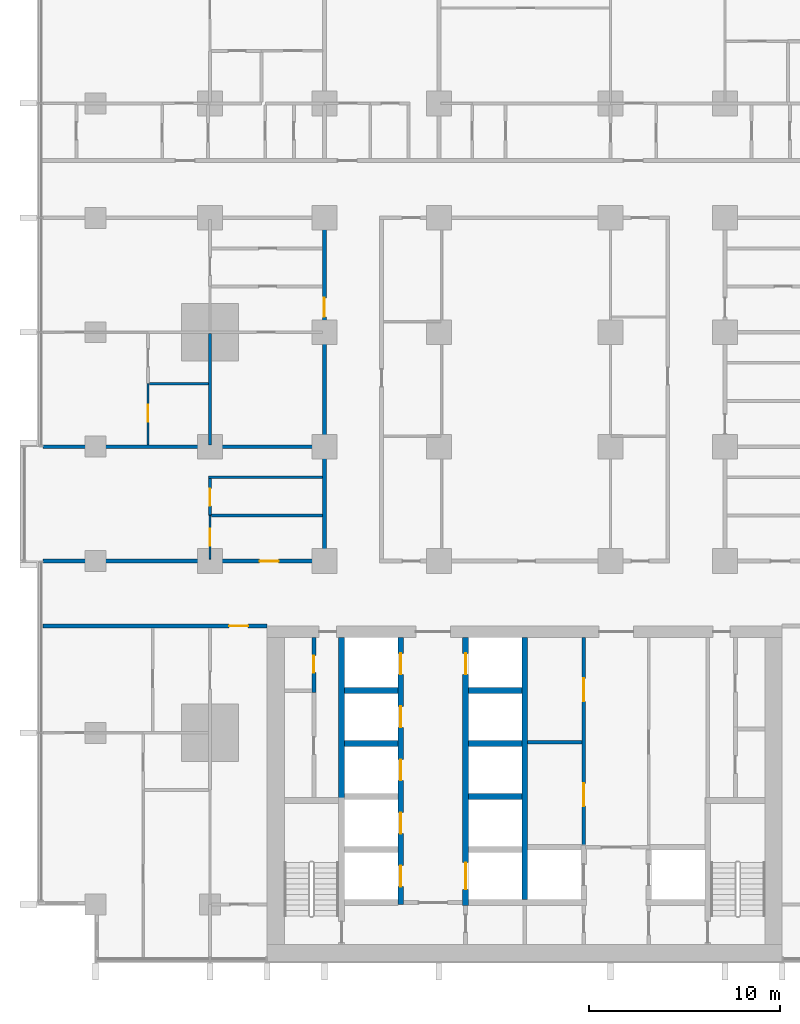
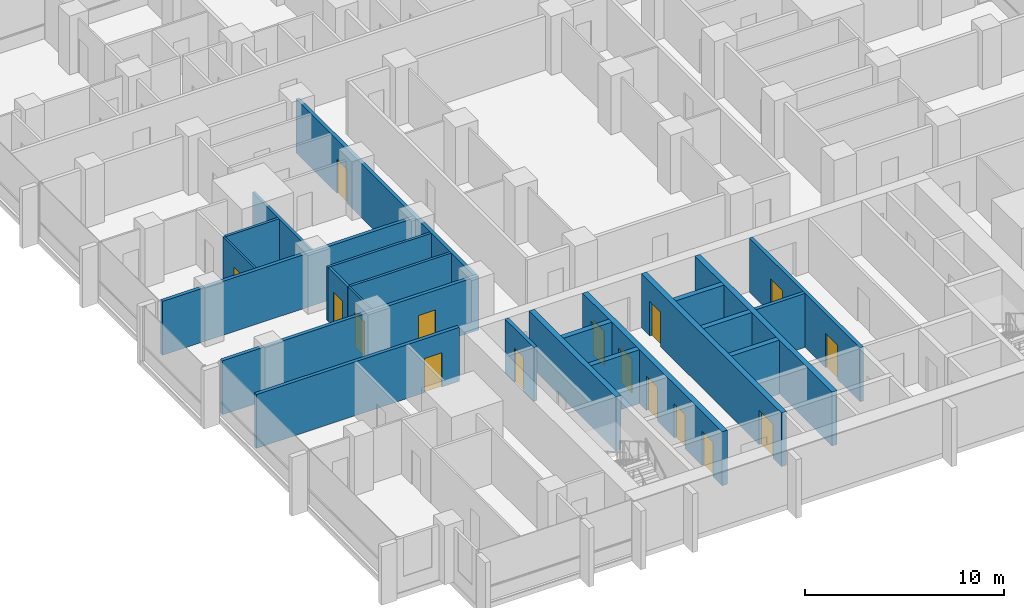
# One storey, part 8 of 18: 23 walls, 16 doors, 16 openings.
"""IFC4 building model written with IfcOpenShell, lengths in metres."""

from ifc_helpers import new_model, si_unit, direction, frame, frame_2d, origin, place, context, subcontext, project, spatial, rectangle, extrude, material, layer, layer_set, type_object, element, fill, save


model = new_model("IFC4")

# Units and contexts
model_context = context("Model", 3, precision=1e-05, world=origin(), true_north=direction((0.0, 1.0)))
body_context = subcontext(model_context, "Body", "Model", "MODEL_VIEW")
ifc_project = project(units=[si_unit("LENGTHUNIT", "METRE"), si_unit("AREAUNIT", "SQUARE_METRE"), si_unit("VOLUMEUNIT", "CUBIC_METRE"), si_unit("PLANEANGLEUNIT", "RADIAN"), si_unit("MASSUNIT", "GRAM", prefix="KILO")], contexts=[model_context])

# Site, building, storey
site_placement = place(None, origin())
site = spatial("IfcSite", under=ifc_project, at=site_placement, CompositionType="ELEMENT")
building_placement = place(site_placement, origin())
building = spatial("IfcBuilding", under=site, at=building_placement, Name="Finial Court Residences", CompositionType="ELEMENT")
storey_placement = place(building_placement, frame((0.0, 0.0, 50.5)))
storey = spatial("IfcBuildingStorey", under=building, at=storey_placement, Name="L11", CompositionType="ELEMENT", Elevation=50.5)

# Wall
ifc_material_1 = material(Name="Gypsum board")
ifc_layer_1 = layer(ifc_material_1, 0.02490234375)
ifc_material_2 = material(Name="Acoustic mineral wool in double frame")
ifc_layer_2 = layer(ifc_material_2, 0.14990234375)
ifc_layer_3 = layer(ifc_material_1, 0.02490234375)
ifc_layer_set_1 = layer_set([ifc_layer_1, ifc_layer_2, ifc_layer_3], Name="Acoustic party wall 200, 1 hour")
wall_type_1 = type_object("IfcWallType", Name="Acoustic party wall 200, 1 hour", PredefinedType="PARTITIONING", material=ifc_layer_set_1)
wall_1_placement = place(storey_placement, frame((-25.25, 1.5, 0.0), z_axis=(0.0, 0.0, 1.0), x_axis=(1.0, 0.0, 0.0)))
element("IfcWall", 1, at=wall_1_placement, inside=storey, type_object=wall_type_1, Name="Partition L11-016", PredefinedType="PARTITIONING", context=body_context, shape_type="SweptSolid", body=[
    extrude(rectangle(XDim=14.64990234375, YDim=0.199951171875, at=frame_2d((7.324951171875, 0.0))), origin(), (0.0, 0.0, 1.0), 3.300048828125),
])

# Wall, opening, door
ifc_layer_4 = layer(ifc_material_1, 0.02490234375)
ifc_layer_5 = layer(ifc_material_2, 0.14990234375)
ifc_layer_6 = layer(ifc_material_1, 0.02490234375)
ifc_layer_set_2 = layer_set([ifc_layer_4, ifc_layer_5, ifc_layer_6], Name="Corridor wall 200, 1 hour")
wall_type_2 = type_object("IfcWallType", Name="Corridor wall 200, 1 hour", PredefinedType="PARTITIONING", material=ifc_layer_set_2)
wall_2_placement = place(storey_placement, frame((-25.25, -7.89990234375, 0.0), z_axis=(0.0, 0.0, 1.0), x_axis=(1.0, 0.0, 0.0)))
wall_2 = element("IfcWall", 2, at=wall_2_placement, inside=storey, type_object=wall_type_2, Name="Partition L11-007", PredefinedType="PARTITIONING", context=body_context, shape_type="SweptSolid", body=[
    extrude(rectangle(XDim=11.75, YDim=0.199951171875, at=frame_2d((5.875, 0.0))), origin(), (0.0, 0.0, 1.0), 3.300048828125),
])
opening_1_placement = place(wall_2_placement, frame((9.75, 0.0, 0.0)))
opening_1 = element("IfcOpeningElement", 3, at=opening_1_placement, cuts=wall_2, Name="Opening L11-D005", PredefinedType="OPENING", context=body_context, shape_type="SweptSolid", body=[
    extrude(rectangle(XDim=1.0, YDim=2.10009765625, at=frame_2d((0.5, 1.050048828125))), frame((0.0, 0.10986328125, 0.0), z_axis=(0.0, -1.0, 0.0), x_axis=(1.0, 0.0, 0.0)), (0.0, 0.0, 1.0), 0.219970703125),
])
ifc_material_3 = material(Name="Timber door leaf in hollow metal frame", Category="wood")
door_type_1 = type_object("IfcDoorType", Name="Fire door set 1000 x 2100, 30 minutes", OperationType="SINGLE_SWING_LEFT", PredefinedType="DOOR", material=ifc_material_3)
door_1_placement = place(opening_1_placement, origin())
door_1 = element("IfcDoor", 4, at=door_1_placement, inside=storey, type_object=door_type_1, Name="Door L11-D005", OperationType="SINGLE_SWING_RIGHT", OverallHeight=2.10009765625, OverallWidth=1.0, PredefinedType="DOOR", context=body_context, shape_type="SweptSolid", body=[
    extrude(rectangle(XDim=1.0, YDim=2.10009765625, at=frame_2d((0.5, 1.050048828125))), frame((0.0, 0.02490234375, 0.0), z_axis=(0.0, -1.0, 0.0), x_axis=(1.0, 0.0, 0.0)), (0.0, 0.0, 1.0), 0.050048828125),
])
fill(opening_1, door_1)

wall_3_placement = place(storey_placement, frame((-25.25, -4.5, 0.0), z_axis=(0.0, 0.0, 1.0), x_axis=(1.0, 0.0, 0.0)))
wall_3 = element("IfcWall", 5, at=wall_3_placement, inside=storey, type_object=wall_type_2, Name="Partition L11-009", PredefinedType="PARTITIONING", context=body_context, shape_type="SweptSolid", body=[
    extrude(rectangle(XDim=14.85009765625, YDim=0.199951171875, at=frame_2d((7.425048828125, 0.0))), origin(), (0.0, 0.0, 1.0), 3.300048828125),
])
opening_2_placement = place(wall_3_placement, frame((11.35009765625, 0.0, 0.0)))
opening_2 = element("IfcOpeningElement", 6, at=opening_2_placement, cuts=wall_3, Name="Opening L11-D007", PredefinedType="OPENING", context=body_context, shape_type="SweptSolid", body=[
    extrude(rectangle(XDim=1.0, YDim=2.10009765625, at=frame_2d((0.5, 1.050048828125))), frame((0.0, 0.10986328125, 0.0), z_axis=(0.0, -1.0, 0.0), x_axis=(1.0, 0.0, 0.0)), (0.0, 0.0, 1.0), 0.219970703125),
])
door_2_placement = place(opening_2_placement, origin())
door_2 = element("IfcDoor", 7, at=door_2_placement, inside=storey, type_object=door_type_1, Name="Door L11-D007", OperationType="SINGLE_SWING_LEFT", OverallHeight=2.10009765625, OverallWidth=1.0, PredefinedType="DOOR", context=body_context, shape_type="SweptSolid", body=[
    extrude(rectangle(XDim=1.0, YDim=2.10009765625, at=frame_2d((0.5, 1.050048828125))), frame((0.0, 0.02490234375, 0.0), z_axis=(0.0, -1.0, 0.0), x_axis=(1.0, 0.0, 0.0)), (0.0, 0.0, 1.0), 0.050048828125),
])
fill(opening_2, door_2)

wall_4_placement = place(storey_placement, frame((-10.5, -4.39990234375, 0.0), z_axis=(0.0, 0.0, 1.0), x_axis=(0.0, 1.0, 0.0)))
wall_4 = element("IfcWall", 8, at=wall_4_placement, inside=storey, type_object=wall_type_2, Name="Partition L11-076", PredefinedType="PARTITIONING", context=body_context, shape_type="SweptSolid", body=[
    extrude(rectangle(XDim=17.7998046875, YDim=0.199951171875, at=frame_2d((8.89990234375, 0.0))), origin(), (0.0, 0.0, 1.0), 3.300048828125),
])
opening_3_placement = place(wall_4_placement, frame((12.699951171875, 0.0, 0.0)))
opening_3 = element("IfcOpeningElement", 9, at=opening_3_placement, cuts=wall_4, Name="Opening L11-D049", PredefinedType="OPENING", context=body_context, shape_type="SweptSolid", body=[
    extrude(rectangle(XDim=1.0, YDim=2.10009765625, at=frame_2d((0.5, 1.050048828125))), frame((0.0, 0.10986328125, 0.0), z_axis=(0.0, -1.0, 0.0), x_axis=(1.0, 0.0, 0.0)), (0.0, 0.0, 1.0), 0.219970703125),
])
door_3_placement = place(opening_3_placement, origin())
door_3 = element("IfcDoor", 10, at=door_3_placement, inside=storey, type_object=door_type_1, Name="Door L11-D049", OperationType="SINGLE_SWING_LEFT", OverallHeight=2.10009765625, OverallWidth=1.0, PredefinedType="DOOR", context=body_context, shape_type="SweptSolid", body=[
    extrude(rectangle(XDim=1.0, YDim=2.10009765625, at=frame_2d((0.5, 1.050048828125))), frame((0.0, 0.02490234375, 0.0), z_axis=(0.0, -1.0, 0.0), x_axis=(1.0, 0.0, 0.0)), (0.0, 0.0, 1.0), 0.050048828125),
])
fill(opening_3, door_3)

ifc_layer_7 = layer(ifc_material_1, 0.012451171875)
ifc_material_4 = material(Name="Mineral wool in light-gauge frame")
ifc_layer_8 = layer(ifc_material_4, 0.074951171875)
ifc_layer_9 = layer(ifc_material_1, 0.012451171875)
ifc_layer_set_3 = layer_set([ifc_layer_7, ifc_layer_8, ifc_layer_9], Name="Gypsum board partition 100")
wall_type_3 = type_object("IfcWallType", Name="Gypsum board partition 100", PredefinedType="PARTITIONING", material=ifc_layer_set_3)
wall_5_placement = place(storey_placement, frame((-19.75, 1.60009765625, 0.0), z_axis=(0.0, 0.0, 1.0), x_axis=(0.0, 1.0, 0.0)))
wall_5 = element("IfcWall", 11, at=wall_5_placement, inside=storey, type_object=wall_type_3, Name="Partition L11-058", PredefinedType="PARTITIONING", context=body_context, shape_type="SweptSolid", body=[
    extrude(rectangle(XDim=3.199951171875, YDim=0.10009765625, at=frame_2d((1.60009765625, 0.0))), origin(), (0.0, 0.0, 1.0), 3.300048828125),
])
opening_4_placement = place(wall_5_placement, frame((1.199951171875, 0.0, 0.0)))
opening_4 = element("IfcOpeningElement", 12, at=opening_4_placement, cuts=wall_5, Name="Opening L11-D037", PredefinedType="OPENING", context=body_context, shape_type="SweptSolid", body=[
    extrude(rectangle(XDim=0.89990234375, YDim=2.10009765625, at=frame_2d((0.449951171875, 1.050048828125))), frame((0.0, 0.06005859375, 0.0), z_axis=(0.0, -1.0, 0.0), x_axis=(1.0, 0.0, 0.0)), (0.0, 0.0, 1.0), 0.1201171875),
])
ifc_material_5 = material(Name="Timber door leaf in timber frame", Category="wood")
door_type_2 = type_object("IfcDoorType", Name="Door set 900 x 2100", OperationType="SINGLE_SWING_LEFT", PredefinedType="DOOR", material=ifc_material_5)
door_4_placement = place(opening_4_placement, origin())
door_4 = element("IfcDoor", 13, at=door_4_placement, inside=storey, type_object=door_type_2, Name="Door L11-D037", OperationType="SINGLE_SWING_RIGHT", OverallHeight=2.10009765625, OverallWidth=0.89990234375, PredefinedType="DOOR", context=body_context, shape_type="SweptSolid", body=[
    extrude(rectangle(XDim=0.89990234375, YDim=2.10009765625, at=frame_2d((0.449951171875, 1.050048828125))), frame((0.0, 0.02490234375, 0.0), z_axis=(0.0, -1.0, 0.0), x_axis=(1.0, 0.0, 0.0)), (0.0, 0.0, 1.0), 0.050048828125),
])
fill(opening_4, door_4)

wall_6_placement = place(storey_placement, frame((-16.5, -4.39990234375, 0.0), z_axis=(0.0, 0.0, 1.0), x_axis=(0.0, 1.0, 0.0)))
wall_6 = element("IfcWall", 14, at=wall_6_placement, inside=storey, type_object=wall_type_3, Name="Partition L11-064", PredefinedType="PARTITIONING", context=body_context, shape_type="SweptSolid", body=[
    extrude(rectangle(XDim=2.2998046875, YDim=0.10009765625, at=frame_2d((1.14990234375, 0.0))), origin(), (0.0, 0.0, 1.0), 3.300048828125),
])
opening_5_placement = place(wall_6_placement, frame((0.699951171875, 0.0, 0.0)))
opening_5 = element("IfcOpeningElement", 15, at=opening_5_placement, cuts=wall_6, Name="Opening L11-D042", PredefinedType="OPENING", context=body_context, shape_type="SweptSolid", body=[
    extrude(rectangle(XDim=0.89990234375, YDim=2.10009765625, at=frame_2d((0.449951171875, 1.050048828125))), frame((0.0, 0.06005859375, 0.0), z_axis=(0.0, -1.0, 0.0), x_axis=(1.0, 0.0, 0.0)), (0.0, 0.0, 1.0), 0.1201171875),
])
door_5_placement = place(opening_5_placement, origin())
door_5 = element("IfcDoor", 16, at=door_5_placement, inside=storey, type_object=door_type_2, Name="Door L11-D042", OperationType="SINGLE_SWING_LEFT", OverallHeight=2.10009765625, OverallWidth=0.89990234375, PredefinedType="DOOR", context=body_context, shape_type="SweptSolid", body=[
    extrude(rectangle(XDim=0.89990234375, YDim=2.10009765625, at=frame_2d((0.449951171875, 1.050048828125))), frame((0.0, 0.02490234375, 0.0), z_axis=(0.0, -1.0, 0.0), x_axis=(1.0, 0.0, 0.0)), (0.0, 0.0, 1.0), 0.050048828125),
])
fill(opening_5, door_5)

# Walls
ifc_material_6 = material(Name="Moisture-resistant gypsum board")
ifc_layer_10 = layer(ifc_material_6, 0.012451171875)
ifc_layer_11 = layer(ifc_material_4, 0.125)
ifc_layer_12 = layer(ifc_material_6, 0.012451171875)
ifc_layer_set_4 = layer_set([ifc_layer_10, ifc_layer_11, ifc_layer_12], Name="Gypsum board wet-area partition 150")
wall_type_4 = type_object("IfcWallType", Name="Gypsum board wet-area partition 150", PredefinedType="PARTITIONING", material=ifc_layer_set_4)
wall_7_placement = place(storey_placement, frame((-16.425048828125, -2.10009765625, 0.0), z_axis=(0.0, 0.0, 1.0), x_axis=(1.0, 0.0, 0.0)))
element("IfcWall", 17, at=wall_7_placement, inside=storey, type_object=wall_type_4, Name="Partition L11-012", PredefinedType="PARTITIONING", context=body_context, shape_type="SweptSolid", body=[
    extrude(rectangle(XDim=5.824951171875, YDim=0.14990234375, at=frame_2d((2.91259765625, 0.0))), origin(), (0.0, 0.0, 1.0), 3.300048828125),
])
wall_8_placement = place(storey_placement, frame((-16.574951171875, -0.10009765625, 0.0), z_axis=(0.0, 0.0, 1.0), x_axis=(1.0, 0.0, 0.0)))
element("IfcWall", 18, at=wall_8_placement, inside=storey, type_object=wall_type_4, Name="Partition L11-014", PredefinedType="PARTITIONING", context=body_context, shape_type="SweptSolid", body=[
    extrude(rectangle(XDim=5.974853515625, YDim=0.14990234375, at=frame_2d((2.9873046875, 0.0))), origin(), (0.0, 0.0, 1.0), 3.300048828125),
])
wall_9_placement = place(storey_placement, frame((-19.675048828125, 4.800048828125, 0.0), z_axis=(0.0, 0.0, 1.0), x_axis=(1.0, 0.0, 0.0)))
element("IfcWall", 19, at=wall_9_placement, inside=storey, type_object=wall_type_4, Name="Partition L11-021", PredefinedType="PARTITIONING", context=body_context, shape_type="SweptSolid", body=[
    extrude(rectangle(XDim=3.10009765625, YDim=0.14990234375, at=frame_2d((1.550048828125, 0.0))), origin(), (0.0, 0.0, 1.0), 3.300048828125),
])

# Wall, opening, door
wall_10_placement = place(storey_placement, frame((-16.5, -2.10009765625, 0.0), z_axis=(0.0, 0.0, 1.0), x_axis=(0.0, 1.0, 0.0)))
wall_10 = element("IfcWall", 20, at=wall_10_placement, inside=storey, type_object=wall_type_4, Name="Partition L11-069", PredefinedType="PARTITIONING", context=body_context, shape_type="SweptSolid", body=[
    extrude(rectangle(XDim=1.925048828125, YDim=0.14990234375, at=frame_2d((0.96240234375, 0.0))), origin(), (0.0, 0.0, 1.0), 3.300048828125),
])
opening_6_placement = place(wall_10_placement, frame((0.5, 0.0, 0.0)))
opening_6 = element("IfcOpeningElement", 21, at=opening_6_placement, cuts=wall_10, Name="Opening L11-D045", PredefinedType="OPENING", context=body_context, shape_type="SweptSolid", body=[
    extrude(rectangle(XDim=0.89990234375, YDim=2.10009765625, at=frame_2d((0.449951171875, 1.050048828125))), frame((0.0, 0.0849609375, 0.0), z_axis=(0.0, -1.0, 0.0), x_axis=(1.0, 0.0, 0.0)), (0.0, 0.0, 1.0), 0.169921875),
])
door_6_placement = place(opening_6_placement, origin())
door_6 = element("IfcDoor", 22, at=door_6_placement, inside=storey, type_object=door_type_2, Name="Door L11-D045", OperationType="SINGLE_SWING_RIGHT", OverallHeight=2.10009765625, OverallWidth=0.89990234375, PredefinedType="DOOR", context=body_context, shape_type="SweptSolid", body=[
    extrude(rectangle(XDim=0.89990234375, YDim=2.10009765625, at=frame_2d((0.449951171875, 1.050048828125))), frame((0.0, 0.02490234375, 0.0), z_axis=(0.0, -1.0, 0.0), x_axis=(1.0, 0.0, 0.0)), (0.0, 0.0, 1.0), 0.050048828125),
])
fill(opening_6, door_6)

# Walls
wall_11_placement = place(storey_placement, frame((-16.5, 1.60009765625, 0.0), z_axis=(0.0, 0.0, 1.0), x_axis=(0.0, 1.0, 0.0)))
element("IfcWall", 23, at=wall_11_placement, inside=storey, type_object=wall_type_4, Name="Partition L11-070", PredefinedType="PARTITIONING", context=body_context, shape_type="SweptSolid", body=[
    extrude(rectangle(XDim=5.824951171875, YDim=0.14990234375, at=frame_2d((2.91259765625, 0.0))), origin(), (0.0, 0.0, 1.0), 3.300048828125),
])
ifc_material_7 = material(Name="Concrete C80/95", Category="concrete")
ifc_layer_13 = layer(ifc_material_7, 0.300048828125)
ifc_layer_set_5 = layer_set([ifc_layer_13], Name="Lift shaft and stair wall 300 Concrete C80/95")
wall_type_5 = type_object("IfcWallType", Name="Lift shaft and stair wall 300 Concrete C80/95", PredefinedType="SHEAR", material=ifc_layer_set_5)
for number, where, z_axis, x_axis, name in (
    (24, (-2.949951171875, -16.840087890625, 0.0), (0.0, 0.0, 1.0), (1.0, 0.0, 0.0), "Core wall L11-13"),
    (25, (-9.449951171875, -14.06005859375, 0.0), (0.0, 0.0, 1.0), (1.0, 0.0, 0.0), "Core wall L11-14"),
    (26, (-2.949951171875, -14.06005859375, 0.0), (0.0, 0.0, 1.0), (1.0, 0.0, 0.0), "Core wall L11-15"),
    (27, (-9.449951171875, -11.280029296875, 0.0), (0.0, 0.0, 1.0), (1.0, 0.0, 0.0), "Core wall L11-19"),
    (28, (-2.949951171875, -11.280029296875, 0.0), (0.0, 0.0, 1.0), (1.0, 0.0, 0.0), "Core wall L11-20"),
):
    element("IfcWall", number, at=place(storey_placement, frame(where, z_axis=z_axis, x_axis=x_axis)), inside=storey, type_object=wall_type_5, Name=name, PredefinedType="SHEAR", context=body_context, shape_type="SweptSolid", body=[
        extrude(rectangle(XDim=2.800048828125, YDim=0.300048828125, at=frame_2d((1.39990234375, 0.0))), origin(), (0.0, 0.0, 1.0), 3.300048828125),
    ])
wall_12_placement = place(storey_placement, frame((-9.60009765625, -17.199951171875, 0.0), z_axis=(0.0, 0.0, 1.0), x_axis=(0.0, 1.0, 0.0)))
element("IfcWall", 29, at=wall_12_placement, inside=storey, type_object=wall_type_5, Name="Core wall L11-24", PredefinedType="SHEAR", context=body_context, shape_type="SweptSolid", body=[
    extrude(rectangle(XDim=8.699951171875, YDim=0.300048828125, at=frame_2d((4.35009765625, 0.0))), origin(), (0.0, 0.0, 1.0), 3.300048828125),
])

# Wall, openings, doors
wall_13_placement = place(storey_placement, frame((-6.5, -22.5, 0.0), z_axis=(0.0, 0.0, 1.0), x_axis=(0.0, 1.0, 0.0)))
wall_13 = element("IfcWall", 30, at=wall_13_placement, inside=storey, type_object=wall_type_5, Name="Core wall L11-25", PredefinedType="SHEAR", context=body_context, shape_type="SweptSolid", body=[
    extrude(rectangle(XDim=14.0, YDim=0.300048828125, at=frame_2d((7.0, 0.0))), origin(), (0.0, 0.0, 1.0), 3.300048828125),
])
opening_7_placement = place(wall_13_placement, frame((0.93994140625, 0.0, 0.0)))
opening_7 = element("IfcOpeningElement", 31, at=opening_7_placement, cuts=wall_13, Name="Opening L11-LD03", PredefinedType="OPENING", context=body_context, shape_type="SweptSolid", body=[
    extrude(rectangle(XDim=1.10009765625, YDim=2.10009765625, at=frame_2d((0.550048828125, 1.050048828125))), frame((0.0, 0.159912109375, 0.0), z_axis=(0.0, -1.0, 0.0), x_axis=(1.0, 0.0, 0.0)), (0.0, 0.0, 1.0), 0.320068359375),
])
opening_8_placement = place(wall_13_placement, frame((3.719970703125, 0.0, 0.0)))
opening_8 = element("IfcOpeningElement", 32, at=opening_8_placement, cuts=wall_13, Name="Opening L11-LD04", PredefinedType="OPENING", context=body_context, shape_type="SweptSolid", body=[
    extrude(rectangle(XDim=1.10009765625, YDim=2.10009765625, at=frame_2d((0.550048828125, 1.050048828125))), frame((0.0, 0.159912109375, 0.0), z_axis=(0.0, -1.0, 0.0), x_axis=(1.0, 0.0, 0.0)), (0.0, 0.0, 1.0), 0.320068359375),
])
opening_9_placement = place(wall_13_placement, frame((6.5, 0.0, 0.0)))
opening_9 = element("IfcOpeningElement", 33, at=opening_9_placement, cuts=wall_13, Name="Opening L11-LD05", PredefinedType="OPENING", context=body_context, shape_type="SweptSolid", body=[
    extrude(rectangle(XDim=1.10009765625, YDim=2.10009765625, at=frame_2d((0.550048828125, 1.050048828125))), frame((0.0, 0.159912109375, 0.0), z_axis=(0.0, -1.0, 0.0), x_axis=(1.0, 0.0, 0.0)), (0.0, 0.0, 1.0), 0.320068359375),
])
opening_10_placement = place(wall_13_placement, frame((9.280029296875, 0.0, 0.0)))
opening_10 = element("IfcOpeningElement", 34, at=opening_10_placement, cuts=wall_13, Name="Opening L11-LD06", PredefinedType="OPENING", context=body_context, shape_type="SweptSolid", body=[
    extrude(rectangle(XDim=1.10009765625, YDim=2.10009765625, at=frame_2d((0.550048828125, 1.050048828125))), frame((0.0, 0.159912109375, 0.0), z_axis=(0.0, -1.0, 0.0), x_axis=(1.0, 0.0, 0.0)), (0.0, 0.0, 1.0), 0.320068359375),
])
opening_11_placement = place(wall_13_placement, frame((12.06005859375, 0.0, 0.0)))
opening_11 = element("IfcOpeningElement", 35, at=opening_11_placement, cuts=wall_13, Name="Opening L11-LD07", PredefinedType="OPENING", context=body_context, shape_type="SweptSolid", body=[
    extrude(rectangle(XDim=1.10009765625, YDim=2.10009765625, at=frame_2d((0.550048828125, 1.050048828125))), frame((0.0, 0.159912109375, 0.0), z_axis=(0.0, -1.0, 0.0), x_axis=(1.0, 0.0, 0.0)), (0.0, 0.0, 1.0), 0.320068359375),
])
ifc_material_8 = material(Name="Stainless steel lift door", Category="steel")
door_type_3 = type_object("IfcDoorType", Name="Lift landing door 1100 x 2100 EI 90", OperationType="DOUBLE_DOOR_SLIDING", PredefinedType="DOOR", material=ifc_material_8)
door_7_placement = place(opening_7_placement, origin())
door_7 = element("IfcDoor", 36, at=door_7_placement, inside=storey, type_object=door_type_3, Name="Lift landing door LR1 L11", OperationType="DOUBLE_DOOR_SLIDING", OverallHeight=2.10009765625, OverallWidth=1.10009765625, PredefinedType="DOOR", context=body_context, shape_type="SweptSolid", body=[
    extrude(rectangle(XDim=1.10009765625, YDim=2.10009765625, at=frame_2d((0.550048828125, 1.050048828125))), frame((0.0, 0.02490234375, 0.0), z_axis=(0.0, -1.0, 0.0), x_axis=(1.0, 0.0, 0.0)), (0.0, 0.0, 1.0), 0.050048828125),
])
fill(opening_7, door_7)
door_8_placement = place(opening_8_placement, origin())
door_8 = element("IfcDoor", 37, at=door_8_placement, inside=storey, type_object=door_type_3, Name="Lift landing door LR2 L11", OperationType="DOUBLE_DOOR_SLIDING", OverallHeight=2.10009765625, OverallWidth=1.10009765625, PredefinedType="DOOR", context=body_context, shape_type="SweptSolid", body=[
    extrude(rectangle(XDim=1.10009765625, YDim=2.10009765625, at=frame_2d((0.550048828125, 1.050048828125))), frame((0.0, 0.02490234375, 0.0), z_axis=(0.0, -1.0, 0.0), x_axis=(1.0, 0.0, 0.0)), (0.0, 0.0, 1.0), 0.050048828125),
])
fill(opening_8, door_8)
door_9_placement = place(opening_9_placement, origin())
door_9 = element("IfcDoor", 38, at=door_9_placement, inside=storey, type_object=door_type_3, Name="Lift landing door LR3 L11", OperationType="DOUBLE_DOOR_SLIDING", OverallHeight=2.10009765625, OverallWidth=1.10009765625, PredefinedType="DOOR", context=body_context, shape_type="SweptSolid", body=[
    extrude(rectangle(XDim=1.10009765625, YDim=2.10009765625, at=frame_2d((0.550048828125, 1.050048828125))), frame((0.0, 0.02490234375, 0.0), z_axis=(0.0, -1.0, 0.0), x_axis=(1.0, 0.0, 0.0)), (0.0, 0.0, 1.0), 0.050048828125),
])
fill(opening_9, door_9)
door_10_placement = place(opening_10_placement, origin())
door_10 = element("IfcDoor", 39, at=door_10_placement, inside=storey, type_object=door_type_3, Name="Lift landing door LR4 L11", OperationType="DOUBLE_DOOR_SLIDING", OverallHeight=2.10009765625, OverallWidth=1.10009765625, PredefinedType="DOOR", context=body_context, shape_type="SweptSolid", body=[
    extrude(rectangle(XDim=1.10009765625, YDim=2.10009765625, at=frame_2d((0.550048828125, 1.050048828125))), frame((0.0, 0.02490234375, 0.0), z_axis=(0.0, -1.0, 0.0), x_axis=(1.0, 0.0, 0.0)), (0.0, 0.0, 1.0), 0.050048828125),
])
fill(opening_10, door_10)
door_11_placement = place(opening_11_placement, origin())
door_11 = element("IfcDoor", 40, at=door_11_placement, inside=storey, type_object=door_type_3, Name="Lift landing door LR5 L11", OperationType="DOUBLE_DOOR_SLIDING", OverallHeight=2.10009765625, OverallWidth=1.10009765625, PredefinedType="DOOR", context=body_context, shape_type="SweptSolid", body=[
    extrude(rectangle(XDim=1.10009765625, YDim=2.10009765625, at=frame_2d((0.550048828125, 1.050048828125))), frame((0.0, 0.02490234375, 0.0), z_axis=(0.0, -1.0, 0.0), x_axis=(1.0, 0.0, 0.0)), (0.0, 0.0, 1.0), 0.050048828125),
])
fill(opening_11, door_11)

wall_14_placement = place(storey_placement, frame((-3.10009765625, -22.550048828125, 0.0), z_axis=(0.0, 0.0, 1.0), x_axis=(0.0, 1.0, 0.0)))
wall_14 = element("IfcWall", 41, at=wall_14_placement, inside=storey, type_object=wall_type_5, Name="Core wall L11-27", PredefinedType="SHEAR", context=body_context, shape_type="SweptSolid", body=[
    extrude(rectangle(XDim=14.050048828125, YDim=0.300048828125, at=frame_2d((7.02490234375, 0.0))), origin(), (0.0, 0.0, 1.0), 3.300048828125),
])
opening_12_placement = place(wall_14_placement, frame((12.110107421875, 0.0, 0.0)))
opening_12 = element("IfcOpeningElement", 42, at=opening_12_placement, cuts=wall_14, Name="Opening L11-LD08", PredefinedType="OPENING", context=body_context, shape_type="SweptSolid", body=[
    extrude(rectangle(XDim=1.10009765625, YDim=2.10009765625, at=frame_2d((0.550048828125, 1.050048828125))), frame((0.0, 0.159912109375, 0.0), z_axis=(0.0, -1.0, 0.0), x_axis=(1.0, 0.0, 0.0)), (0.0, 0.0, 1.0), 0.320068359375),
])
opening_13_placement = place(wall_14_placement, frame((0.840087890625, 0.0, 0.0)))
opening_13 = element("IfcOpeningElement", 43, at=opening_13_placement, cuts=wall_14, Name="Opening L11-LD09", PredefinedType="OPENING", context=body_context, shape_type="SweptSolid", body=[
    extrude(rectangle(XDim=1.39990234375, YDim=2.10009765625, at=frame_2d((0.699951171875, 1.050048828125))), frame((0.0, 0.159912109375, 0.0), z_axis=(0.0, -1.0, 0.0), x_axis=(1.0, 0.0, 0.0)), (0.0, 0.0, 1.0), 0.320068359375),
])
door_12_placement = place(opening_12_placement, origin())
door_12 = element("IfcDoor", 44, at=door_12_placement, inside=storey, type_object=door_type_3, Name="Lift landing door LR6 L11", OperationType="DOUBLE_DOOR_SLIDING", OverallHeight=2.10009765625, OverallWidth=1.10009765625, PredefinedType="DOOR", context=body_context, shape_type="SweptSolid", body=[
    extrude(rectangle(XDim=1.10009765625, YDim=2.10009765625, at=frame_2d((0.550048828125, 1.050048828125))), frame((0.0, 0.02490234375, 0.0), z_axis=(0.0, -1.0, 0.0), x_axis=(1.0, 0.0, 0.0)), (0.0, 0.0, 1.0), 0.050048828125),
])
fill(opening_12, door_12)
door_type_4 = type_object("IfcDoorType", Name="Lift landing door 1400 x 2100 EI 90", OperationType="DOUBLE_DOOR_SLIDING", PredefinedType="DOOR", material=ifc_material_8)
door_13_placement = place(opening_13_placement, origin())
door_13 = element("IfcDoor", 45, at=door_13_placement, inside=storey, type_object=door_type_4, Name="Lift landing door SV1 L11", OperationType="DOUBLE_DOOR_SLIDING", OverallHeight=2.10009765625, OverallWidth=1.39990234375, PredefinedType="DOOR", context=body_context, shape_type="SweptSolid", body=[
    extrude(rectangle(XDim=1.39990234375, YDim=2.10009765625, at=frame_2d((0.699951171875, 1.050048828125))), frame((0.0, 0.02490234375, 0.0), z_axis=(0.0, -1.0, 0.0), x_axis=(1.0, 0.0, 0.0)), (0.0, 0.0, 1.0), 0.050048828125),
])
fill(opening_13, door_13)

# Walls
wall_15_placement = place(storey_placement, frame((0.0, -22.25, 0.0), z_axis=(0.0, 0.0, 1.0), x_axis=(0.0, 1.0, 0.0)))
element("IfcWall", 46, at=wall_15_placement, inside=storey, type_object=wall_type_5, Name="Core wall L11-29", PredefinedType="SHEAR", context=body_context, shape_type="SweptSolid", body=[
    extrude(rectangle(XDim=13.75, YDim=0.300048828125, at=frame_2d((6.875, 0.0))), origin(), (0.0, 0.0, 1.0), 3.300048828125),
])
ifc_material_9 = material(Name="Fire-rated gypsum board partition")
ifc_layer_14 = layer(ifc_material_9, 0.199951171875)
ifc_layer_set_6 = layer_set([ifc_layer_14], Name="Riser room wall 200 EI 120")
wall_type_6 = type_object("IfcWallType", Name="Riser room wall 200 EI 120", PredefinedType="PARTITIONING", material=ifc_layer_set_6)
wall_16_placement = place(storey_placement, frame((0.14990234375, -14.0, 0.0), z_axis=(0.0, 0.0, 1.0), x_axis=(1.0, 0.0, 0.0)))
element("IfcWall", 47, at=wall_16_placement, inside=storey, type_object=wall_type_6, Name="Core partition L11-16", PredefinedType="PARTITIONING", context=body_context, shape_type="SweptSolid", body=[
    extrude(rectangle(XDim=2.85009765625, YDim=0.199951171875, at=frame_2d((1.425048828125, 0.0))), origin(), (0.0, 0.0, 1.0), 3.300048828125),
])

# Wall, opening, door
wall_17_placement = place(storey_placement, frame((-11.050048828125, -11.39990234375, 0.0), z_axis=(0.0, 0.0, 1.0), x_axis=(0.0, 1.0, 0.0)))
wall_17 = element("IfcWall", 48, at=wall_17_placement, inside=storey, type_object=wall_type_6, Name="Core partition L11-22", PredefinedType="PARTITIONING", context=body_context, shape_type="SweptSolid", body=[
    extrude(rectangle(XDim=2.89990234375, YDim=0.199951171875, at=frame_2d((1.449951171875, 0.0))), origin(), (0.0, 0.0, 1.0), 3.300048828125),
])
opening_14_placement = place(wall_17_placement, frame((1.050048828125, 0.0, 0.0)))
opening_14 = element("IfcOpeningElement", 49, at=opening_14_placement, cuts=wall_17, Name="Opening L11-C07", PredefinedType="OPENING", context=body_context, shape_type="SweptSolid", body=[
    extrude(rectangle(XDim=0.89990234375, YDim=2.10009765625, at=frame_2d((0.449951171875, 1.050048828125))), frame((0.0, 0.10986328125, 0.0), z_axis=(0.0, -1.0, 0.0), x_axis=(1.0, 0.0, 0.0)), (0.0, 0.0, 1.0), 0.219970703125),
])
ifc_material_10 = material(Name="Steel fire door", Category="steel")
door_type_5 = type_object("IfcDoorType", Name="Riser room door 900 x 2100 EI 90", OperationType="NOTDEFINED", PredefinedType="DOOR", material=ifc_material_10)
door_14_placement = place(opening_14_placement, origin())
door_14 = element("IfcDoor", 50, at=door_14_placement, inside=storey, type_object=door_type_5, Name="Riser room door L11-C07", OperationType="SINGLE_SWING_LEFT", OverallHeight=2.10009765625, OverallWidth=0.89990234375, PredefinedType="DOOR", context=body_context, shape_type="SweptSolid", body=[
    extrude(rectangle(XDim=0.89990234375, YDim=2.10009765625, at=frame_2d((0.449951171875, 1.050048828125))), frame((0.0, 0.02490234375, 0.0), z_axis=(0.0, -1.0, 0.0), x_axis=(1.0, 0.0, 0.0)), (0.0, 0.0, 1.0), 0.050048828125),
])
fill(opening_14, door_14)

# Wall, openings, doors
wall_18_placement = place(storey_placement, frame((3.10009765625, -19.60009765625, 0.0), z_axis=(0.0, 0.0, 1.0), x_axis=(0.0, 1.0, 0.0)))
wall_18 = element("IfcWall", 51, at=wall_18_placement, inside=storey, type_object=wall_type_6, Name="Core partition L11-32", PredefinedType="PARTITIONING", context=body_context, shape_type="SweptSolid", body=[
    extrude(rectangle(XDim=11.10009765625, YDim=0.199951171875, at=frame_2d((5.550048828125, 0.0))), origin(), (0.0, 0.0, 1.0), 3.300048828125),
])
opening_15_placement = place(wall_18_placement, frame((2.25, 0.0, 0.0)))
opening_15 = element("IfcOpeningElement", 52, at=opening_15_placement, cuts=wall_18, Name="Opening L11-C09", PredefinedType="OPENING", context=body_context, shape_type="SweptSolid", body=[
    extrude(rectangle(XDim=1.199951171875, YDim=2.10009765625, at=frame_2d((0.60009765625, 1.050048828125))), frame((0.0, 0.10986328125, 0.0), z_axis=(0.0, -1.0, 0.0), x_axis=(1.0, 0.0, 0.0)), (0.0, 0.0, 1.0), 0.219970703125),
])
opening_16_placement = place(wall_18_placement, frame((7.75, 0.0, 0.0)))
opening_16 = element("IfcOpeningElement", 53, at=opening_16_placement, cuts=wall_18, Name="Opening L11-C10", PredefinedType="OPENING", context=body_context, shape_type="SweptSolid", body=[
    extrude(rectangle(XDim=1.199951171875, YDim=2.10009765625, at=frame_2d((0.60009765625, 1.050048828125))), frame((0.0, 0.10986328125, 0.0), z_axis=(0.0, -1.0, 0.0), x_axis=(1.0, 0.0, 0.0)), (0.0, 0.0, 1.0), 0.219970703125),
])
door_type_6 = type_object("IfcDoorType", Name="Riser room door 1200 x 2100 EI 90", OperationType="NOTDEFINED", PredefinedType="DOOR", material=ifc_material_10)
door_15_placement = place(opening_15_placement, origin())
door_15 = element("IfcDoor", 54, at=door_15_placement, inside=storey, type_object=door_type_6, Name="Riser room door L11-C09", OperationType="SINGLE_SWING_LEFT", OverallHeight=2.10009765625, OverallWidth=1.199951171875, PredefinedType="DOOR", context=body_context, shape_type="SweptSolid", body=[
    extrude(rectangle(XDim=1.199951171875, YDim=2.10009765625, at=frame_2d((0.60009765625, 1.050048828125))), frame((0.0, 0.02490234375, 0.0), z_axis=(0.0, -1.0, 0.0), x_axis=(1.0, 0.0, 0.0)), (0.0, 0.0, 1.0), 0.050048828125),
])
fill(opening_15, door_15)
door_16_placement = place(opening_16_placement, origin())
door_16 = element("IfcDoor", 55, at=door_16_placement, inside=storey, type_object=door_type_6, Name="Riser room door L11-C10", OperationType="SINGLE_SWING_LEFT", OverallHeight=2.10009765625, OverallWidth=1.199951171875, PredefinedType="DOOR", context=body_context, shape_type="SweptSolid", body=[
    extrude(rectangle(XDim=1.199951171875, YDim=2.10009765625, at=frame_2d((0.60009765625, 1.050048828125))), frame((0.0, 0.02490234375, 0.0), z_axis=(0.0, -1.0, 0.0), x_axis=(1.0, 0.0, 0.0)), (0.0, 0.0, 1.0), 0.050048828125),
])
fill(opening_16, door_16)

save(model, "model.ifc")
